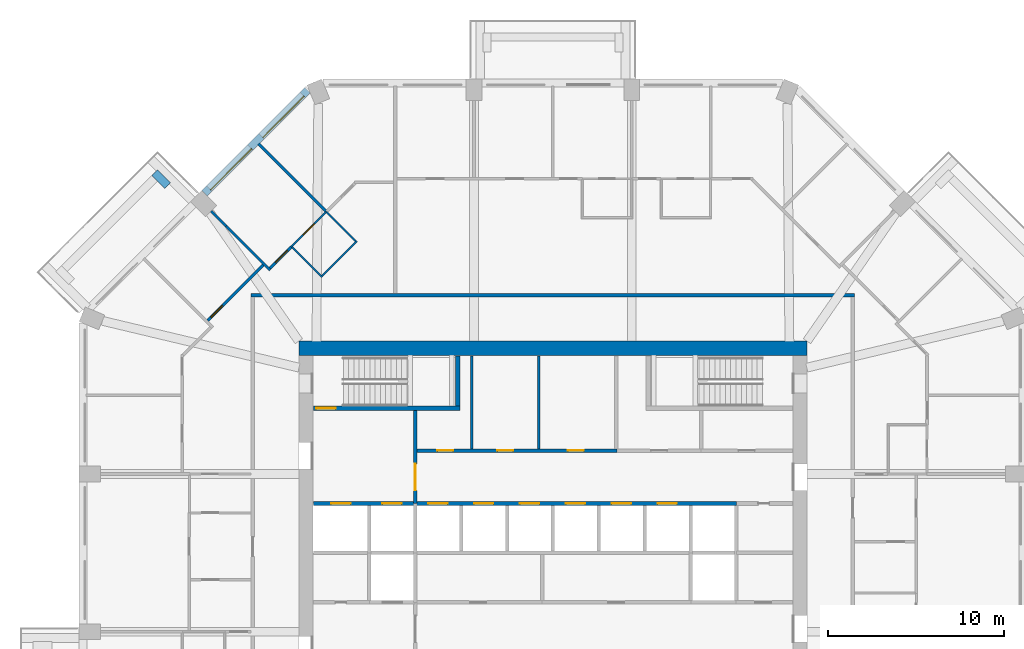
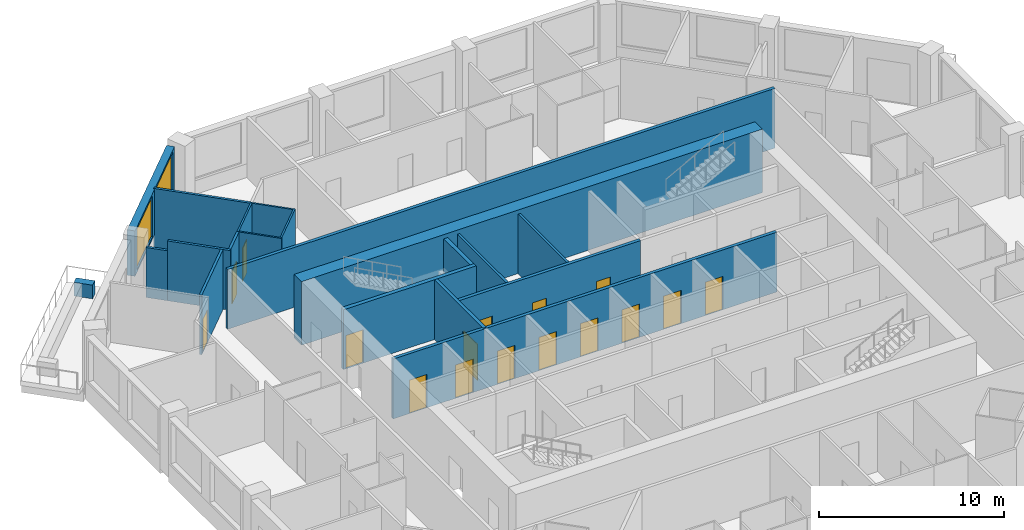
# One storey, part 8 of 12: 20 walls, 16 doors, 2 windows, 18 openings.
"""IFC4 building model written with IfcOpenShell, lengths in metres."""

from ifc_helpers import new_model, si_unit, direction, frame, frame_2d, origin, place, context, subcontext, project, spatial, rectangle, extrude, material, layer, layer_set, type_object, element, fill, save


model = new_model("IFC4")

# Units and contexts
model_context = context("Model", 3, precision=1e-05, world=origin(), true_north=direction((0.0, 1.0)))
body_context = subcontext(model_context, "Body", "Model", "MODEL_VIEW")
ifc_project = project(units=[si_unit("LENGTHUNIT", "METRE"), si_unit("AREAUNIT", "SQUARE_METRE"), si_unit("VOLUMEUNIT", "CUBIC_METRE"), si_unit("PLANEANGLEUNIT", "RADIAN"), si_unit("MASSUNIT", "GRAM", prefix="KILO")], contexts=[model_context])

# Site, building, storey
site_placement = place(None, origin())
site = spatial("IfcSite", under=ifc_project, at=site_placement, CompositionType="ELEMENT")
building_placement = place(site_placement, origin())
building = spatial("IfcBuilding", under=site, at=building_placement, Name="Msitu Wima Residences", CompositionType="ELEMENT")
storey_placement = place(building_placement, frame((0.0, 0.0, 127.5)))
storey = spatial("IfcBuildingStorey", under=building, at=storey_placement, Name="L29", CompositionType="ELEMENT", Elevation=127.5)

# Wall
ifc_material_1 = material(Name="Facing brick")
ifc_layer_1 = layer(ifc_material_1, 0.06494140625, Name="Facing brick")
ifc_material_2 = material(Name="Concrete C40/50", Category="concrete")
ifc_layer_2 = layer(ifc_material_2, 0.156005859375, Name="Concrete C40/50")
ifc_material_3 = material(Name="Waterproofing membrane")
ifc_layer_3 = layer(ifc_material_3, 0.00390625, Name="Waterproofing membrane")
ifc_material_4 = material(Name="Planting soil and planting")
ifc_layer_4 = layer(ifc_material_4, 0.22509765625, Name="Planting soil and planting")
ifc_layer_set_1 = layer_set([ifc_layer_1, ifc_layer_2, ifc_layer_3, ifc_layer_4], Name="Concrete C40/50")
wall_type_1 = type_object("IfcWallType", Name="Balcony planter PLANTER PL450", PredefinedType="USERDEFINED", material=ifc_layer_set_1)
wall_1_placement = place(storey_placement, frame((-21.829833984375, 20.804443359375, 0.0), z_axis=(0.0, 0.0, 1.0), x_axis=(-0.707106781187, 0.707106781187, 0.0)))
element("IfcWall", 1, at=wall_1_placement, inside=storey, type_object=wall_type_1, Name="Balcony planter NW1 L29", ObjectType="PLANTER", PredefinedType="USERDEFINED", context=body_context, shape_type="SweptSolid", body=[
    extrude(rectangle(XDim=1.050048828125, YDim=0.449951171875, at=frame_2d((0.52490234375, 0.0))), origin(), (0.0, 0.0, 1.0), 0.89990234375),
])

# Wall, openings, windows
ifc_material_5 = material(Name="Brick (red buff mix)", Category="masonry")
ifc_layer_5 = layer(ifc_material_5, 0.449951171875)
ifc_layer_set_2 = layer_set([ifc_layer_5], Name="Brick (red buff mix)")
wall_type_2 = type_object("IfcWallType", Name="Brick infill wall BW450", PredefinedType="SOLIDWALL", material=ifc_layer_set_2)
wall_2_placement = place(storey_placement, frame((-13.909423828125, 26.214599609375, 0.89990234375), z_axis=(0.0, 0.0, 1.0), x_axis=(-0.707106781187, -0.707106781187, 0.0)))
wall_2 = element("IfcWall", 2, at=wall_2_placement, inside=storey, type_object=wall_type_2, Name="Brick infill wall L29 NW0", PredefinedType="SOLIDWALL", context=body_context, shape_type="SweptSolid", body=[
    extrude(rectangle(XDim=8.251220703125, YDim=0.449951171875, at=frame_2d((4.12548828125, 0.0))), origin(), (0.0, 0.0, 1.0), 3.0),
])
opening_1_placement = place(wall_2_placement, frame((0.37548828125, 0.0, 0.14990234375)))
opening_1 = element("IfcOpeningElement", 3, at=opening_1_placement, cuts=wall_2, Name="Opening W27-29.014", PredefinedType="OPENING", context=body_context, shape_type="SweptSolid", body=[
    extrude(rectangle(XDim=3.300048828125, YDim=2.699951171875, at=frame_2d((1.64990234375, 1.35009765625))), frame((0.0, 0.23486328125, 0.0), z_axis=(0.0, -1.0, 0.0), x_axis=(1.0, 0.0, 0.0)), (0.0, 0.0, 1.0), 0.469970703125),
])
opening_2_placement = place(wall_2_placement, frame((4.57568359375, 0.0, 0.14990234375)))
opening_2 = element("IfcOpeningElement", 4, at=opening_2_placement, cuts=wall_2, Name="Opening W27-29.015", PredefinedType="OPENING", context=body_context, shape_type="SweptSolid", body=[
    extrude(rectangle(XDim=3.300048828125, YDim=2.699951171875, at=frame_2d((1.64990234375, 1.35009765625))), frame((0.0, 0.23486328125, 0.0), z_axis=(0.0, -1.0, 0.0), x_axis=(1.0, 0.0, 0.0)), (0.0, 0.0, 1.0), 0.469970703125),
])
ifc_material_6 = material(Name="Anodised aluminium, bronze finish, clear low-emissivity double glazing", Category="aluminium")
window_type = type_object("IfcWindowType", Name="Window W3300x2700", PartitioningType="DOUBLE_PANEL_VERTICAL", PredefinedType="WINDOW", material=ifc_material_6)
window_1_placement = place(opening_1_placement, origin())
window_1 = element("IfcWindow", 5, at=window_1_placement, inside=storey, type_object=window_type, Name="Window L29 NW0.1", OverallHeight=2.699951171875, OverallWidth=3.300048828125, PartitioningType="SINGLE_PANEL", PredefinedType="WINDOW", context=body_context, shape_type="SweptSolid", body=[
    extrude(rectangle(XDim=3.300048828125, YDim=2.699951171875, at=frame_2d((1.64990234375, 1.35009765625))), frame((0.0, 0.135009765625, 0.0), z_axis=(0.0, -1.0, 0.0), x_axis=(1.0, 0.0, 0.0)), (0.0, 0.0, 1.0), 0.06005859375),
])
fill(opening_1, window_1)
window_2_placement = place(opening_2_placement, origin())
window_2 = element("IfcWindow", 6, at=window_2_placement, inside=storey, type_object=window_type, Name="Window L29 NW0.2", OverallHeight=2.699951171875, OverallWidth=3.300048828125, PartitioningType="SINGLE_PANEL", PredefinedType="WINDOW", context=body_context, shape_type="SweptSolid", body=[
    extrude(rectangle(XDim=3.300048828125, YDim=2.699951171875, at=frame_2d((1.64990234375, 1.35009765625))), frame((0.0, 0.135009765625, 0.0), z_axis=(0.0, -1.0, 0.0), x_axis=(1.0, 0.0, 0.0)), (0.0, 0.0, 1.0), 0.06005859375),
])
fill(opening_2, window_2)

# Walls
ifc_material_7 = material(Name="Concrete C70/85", Category="concrete")
ifc_layer_6 = layer(ifc_material_7, 0.800048828125)
ifc_layer_set_3 = layer_set([ifc_layer_6], Name="Concrete C70/85")
wall_type_3 = type_object("IfcWallType", Name="Core wall CW800 C70/85", PredefinedType="SHEAR", material=ifc_layer_set_3)
wall_3_placement = place(storey_placement, frame((-14.39990234375, 11.60009765625, 0.0), z_axis=(0.0, 0.0, 1.0), x_axis=(1.0, 0.0, 0.0)))
element("IfcWall", 7, at=wall_3_placement, inside=storey, type_object=wall_type_3, Name="Core wall", PredefinedType="SHEAR", context=body_context, shape_type="SweptSolid", body=[
    extrude(rectangle(XDim=28.7998046875, YDim=0.800048828125, at=frame_2d((14.39990234375, 0.0))), origin(), (0.0, 0.0, 1.0), 4.199951171875),
])
ifc_material_8 = material(Name="Plaster")
ifc_layer_7 = layer(ifc_material_8, 0.011962890625, Name="Plaster")
ifc_material_9 = material(Name="Concrete blockwork", Category="masonry")
ifc_layer_8 = layer(ifc_material_9, 0.176025390625, Name="Concrete blockwork")
ifc_layer_9 = layer(ifc_material_8, 0.011962890625, Name="Plaster")
ifc_layer_set_4 = layer_set([ifc_layer_7, ifc_layer_8, ifc_layer_9], Name="Concrete blockwork")
wall_type_4 = type_object("IfcWallType", Name="Corridor wall FW200", PredefinedType="PARTITIONING", material=ifc_layer_set_4)
wall_4_placement = place(storey_placement, frame((-17.10009765625, 14.60009765625, 0.0), z_axis=(0.0, 0.0, 1.0), x_axis=(1.0, 0.0, 0.0)))
element("IfcWall", 8, at=wall_4_placement, inside=storey, type_object=wall_type_4, Name="Corridor wall", PredefinedType="PARTITIONING", context=body_context, shape_type="SweptSolid", body=[
    extrude(rectangle(XDim=34.2001953125, YDim=0.199951171875, at=frame_2d((17.10009765625, 0.0))), origin(), (0.0, 0.0, 1.0), 3.949951171875),
])

# Wall, opening, door
wall_5_placement = place(storey_placement, frame((-7.800048828125, 2.800048828125, 0.0), z_axis=(0.0, 0.0, 1.0), x_axis=(0.0, 1.0, 0.0)))
wall_5 = element("IfcWall", 9, at=wall_5_placement, inside=storey, type_object=wall_type_4, Name="Corridor wall", PredefinedType="PARTITIONING", context=body_context, shape_type="SweptSolid", body=[
    extrude(rectangle(XDim=5.27490234375, YDim=0.199951171875, at=frame_2d((2.637451171875, 0.0))), origin(), (0.0, 0.0, 1.0), 3.949951171875),
])
opening_3_placement = place(wall_5_placement, frame((0.75, 0.0, 0.0)))
opening_3 = element("IfcOpeningElement", 10, at=opening_3_placement, cuts=wall_5, Name="Opening D27-29.013", PredefinedType="OPENING", context=body_context, shape_type="SweptSolid", body=[
    extrude(rectangle(XDim=1.5, YDim=2.39990234375, at=frame_2d((0.75, 1.199951171875))), frame((0.0, 0.10986328125, 0.0), z_axis=(0.0, -1.0, 0.0), x_axis=(1.0, 0.0, 0.0)), (0.0, 0.0, 1.0), 0.219970703125),
])
ifc_material_10 = material(Name="Steel framed glazed door, fire resisting", Category="steel")
door_type_1 = type_object("IfcDoorType", Name="Lobby door D07 1500x2400", OperationType="DOUBLE_DOOR_SINGLE_SWING", PredefinedType="DOOR", material=ifc_material_10)
door_1_placement = place(opening_3_placement, origin())
door_1 = element("IfcDoor", 11, at=door_1_placement, inside=storey, type_object=door_type_1, Name="Lobby door", OperationType="DOUBLE_DOOR_SINGLE_SWING", OverallHeight=2.39990234375, OverallWidth=1.5, PredefinedType="DOOR", context=body_context, shape_type="SweptSolid", body=[
    extrude(rectangle(XDim=1.5, YDim=2.39990234375, at=frame_2d((0.75, 1.199951171875))), frame((0.0, 0.02490234375, 0.0), z_axis=(0.0, -1.0, 0.0), x_axis=(1.0, 0.0, 0.0)), (0.0, 0.0, 1.0), 0.050048828125),
])
fill(opening_3, door_1)

# Wall, openings, doors
wall_6_placement = place(storey_placement, frame((-7.699951171875, 5.800048828125, 0.0), z_axis=(0.0, 0.0, 1.0), x_axis=(1.0, 0.0, 0.0)))
wall_6 = element("IfcWall", 12, at=wall_6_placement, inside=storey, type_object=wall_type_4, Name="Corridor wall", PredefinedType="PARTITIONING", context=body_context, shape_type="SweptSolid", body=[
    extrude(rectangle(XDim=11.320068359375, YDim=0.199951171875, at=frame_2d((5.66015625, 0.0))), origin(), (0.0, 0.0, 1.0), 3.949951171875),
])
opening_4_placement = place(wall_6_placement, frame((1.14990234375, 0.0, 0.0)))
opening_4 = element("IfcOpeningElement", 13, at=opening_4_placement, cuts=wall_6, Name="Opening D27-29.016", PredefinedType="OPENING", context=body_context, shape_type="SweptSolid", body=[
    extrude(rectangle(XDim=0.89990234375, YDim=2.199951171875, at=frame_2d((0.449951171875, 1.10009765625))), frame((0.0, 0.10986328125, 0.0), z_axis=(0.0, -1.0, 0.0), x_axis=(1.0, 0.0, 0.0)), (0.0, 0.0, 1.0), 0.219970703125),
])
opening_5_placement = place(wall_6_placement, frame((4.550048828125, 0.0, 0.0)))
opening_5 = element("IfcOpeningElement", 14, at=opening_5_placement, cuts=wall_6, Name="Opening D27-29.017", PredefinedType="OPENING", context=body_context, shape_type="SweptSolid", body=[
    extrude(rectangle(XDim=0.89990234375, YDim=2.199951171875, at=frame_2d((0.449951171875, 1.10009765625))), frame((0.0, 0.10986328125, 0.0), z_axis=(0.0, -1.0, 0.0), x_axis=(1.0, 0.0, 0.0)), (0.0, 0.0, 1.0), 0.219970703125),
])
opening_6_placement = place(wall_6_placement, frame((8.550048828125, 0.0, 0.0)))
opening_6 = element("IfcOpeningElement", 15, at=opening_6_placement, cuts=wall_6, Name="Opening D27-29.018", PredefinedType="OPENING", context=body_context, shape_type="SweptSolid", body=[
    extrude(rectangle(XDim=0.89990234375, YDim=2.199951171875, at=frame_2d((0.449951171875, 1.10009765625))), frame((0.0, 0.10986328125, 0.0), z_axis=(0.0, -1.0, 0.0), x_axis=(1.0, 0.0, 0.0)), (0.0, 0.0, 1.0), 0.219970703125),
])
ifc_material_11 = material(Name="Timber flush door", Category="wood")
door_type_2 = type_object("IfcDoorType", Name="Service door D05 900x2200", OperationType="SINGLE_SWING_LEFT", PredefinedType="DOOR", material=ifc_material_11)
door_2_placement = place(opening_4_placement, origin())
door_2 = element("IfcDoor", 16, at=door_2_placement, inside=storey, type_object=door_type_2, Name="Service door", OperationType="SINGLE_SWING_RIGHT", OverallHeight=2.199951171875, OverallWidth=0.89990234375, PredefinedType="DOOR", context=body_context, shape_type="SweptSolid", body=[
    extrude(rectangle(XDim=0.89990234375, YDim=2.199951171875, at=frame_2d((0.449951171875, 1.10009765625))), frame((0.0, 0.02490234375, 0.0), z_axis=(0.0, -1.0, 0.0), x_axis=(1.0, 0.0, 0.0)), (0.0, 0.0, 1.0), 0.050048828125),
])
fill(opening_4, door_2)
door_3_placement = place(opening_5_placement, origin())
door_3 = element("IfcDoor", 17, at=door_3_placement, inside=storey, type_object=door_type_2, Name="Service door", OperationType="SINGLE_SWING_LEFT", OverallHeight=2.199951171875, OverallWidth=0.89990234375, PredefinedType="DOOR", context=body_context, shape_type="SweptSolid", body=[
    extrude(rectangle(XDim=0.89990234375, YDim=2.199951171875, at=frame_2d((0.449951171875, 1.10009765625))), frame((0.0, 0.02490234375, 0.0), z_axis=(0.0, -1.0, 0.0), x_axis=(1.0, 0.0, 0.0)), (0.0, 0.0, 1.0), 0.050048828125),
])
fill(opening_5, door_3)
door_4_placement = place(opening_6_placement, origin())
door_4 = element("IfcDoor", 18, at=door_4_placement, inside=storey, type_object=door_type_2, Name="Service door", OperationType="SINGLE_SWING_LEFT", OverallHeight=2.199951171875, OverallWidth=0.89990234375, PredefinedType="DOOR", context=body_context, shape_type="SweptSolid", body=[
    extrude(rectangle(XDim=0.89990234375, YDim=2.199951171875, at=frame_2d((0.449951171875, 1.10009765625))), frame((0.0, 0.02490234375, 0.0), z_axis=(0.0, -1.0, 0.0), x_axis=(1.0, 0.0, 0.0)), (0.0, 0.0, 1.0), 0.050048828125),
])
fill(opening_6, door_4)

# Walls
ifc_layer_10 = layer(ifc_material_8, 0.011962890625, Name="Plaster")
ifc_layer_11 = layer(ifc_material_9, 0.1259765625, Name="Concrete blockwork")
ifc_layer_12 = layer(ifc_material_8, 0.011962890625, Name="Plaster")
ifc_layer_set_5 = layer_set([ifc_layer_10, ifc_layer_11, ifc_layer_12], Name="Concrete blockwork")
wall_type_5 = type_object("IfcWallType", Name="Partition PW150", PredefinedType="PARTITIONING", material=ifc_layer_set_5)
wall_7_placement = place(storey_placement, frame((-19.37255859375, 19.37255859375, 0.0), z_axis=(0.0, 0.0, 1.0), x_axis=(0.707106781187, -0.707106781187, 0.0)))
element("IfcWall", 19, at=wall_7_placement, inside=storey, type_object=wall_type_5, Name="Partition", PredefinedType="PARTITIONING", context=body_context, shape_type="SweptSolid", body=[
    extrude(rectangle(XDim=1.209228515625, YDim=0.14990234375, at=frame_2d((0.6044921875, 0.0))), origin(), (0.0, 0.0, 1.0), 3.300048828125),
])
wall_8_placement = place(storey_placement, frame((-18.517578125, 18.517578125, 0.0), z_axis=(0.0, 0.0, 1.0), x_axis=(0.707106781187, -0.707106781187, 0.0)))
element("IfcWall", 20, at=wall_8_placement, inside=storey, type_object=wall_type_5, Name="Partition", PredefinedType="PARTITIONING", context=body_context, shape_type="SweptSolid", body=[
    extrude(rectangle(XDim=3.515869140625, YDim=0.14990234375, at=frame_2d((1.7578125, 0.0))), origin(), (0.0, 0.0, 1.0), 3.949951171875),
])

# Wall, opening, door
wall_9_placement = place(storey_placement, frame((-19.56298828125, 13.171875, 0.0), z_axis=(0.0, 0.0, 1.0), x_axis=(0.707106781187, 0.707106781187, 0.0)))
wall_9 = element("IfcWall", 21, at=wall_9_placement, inside=storey, type_object=wall_type_5, Name="Partition", PredefinedType="PARTITIONING", context=body_context, shape_type="SweptSolid", body=[
    extrude(rectangle(XDim=4.4443359375, YDim=0.14990234375, at=frame_2d((2.22216796875, 0.0))), origin(), (0.0, 0.0, 1.0), 3.949951171875),
])
opening_7_placement = place(wall_9_placement, frame((0.25, 0.0, 0.0)))
opening_7 = element("IfcOpeningElement", 22, at=opening_7_placement, cuts=wall_9, Name="Opening D27-29.053", PredefinedType="OPENING", context=body_context, shape_type="SweptSolid", body=[
    extrude(rectangle(XDim=0.949951171875, YDim=2.199951171875, at=frame_2d((0.47509765625, 1.10009765625))), frame((0.0, 0.0849609375, 0.0), z_axis=(0.0, -1.0, 0.0), x_axis=(1.0, 0.0, 0.0)), (0.0, 0.0, 1.0), 0.169921875),
])
door_type_3 = type_object("IfcDoorType", Name="Room door D12 950x2200", OperationType="SINGLE_SWING_LEFT", PredefinedType="DOOR", material=ifc_material_11)
door_5_placement = place(opening_7_placement, origin())
door_5 = element("IfcDoor", 23, at=door_5_placement, inside=storey, type_object=door_type_3, Name="Room door", OperationType="SINGLE_SWING_LEFT", OverallHeight=2.199951171875, OverallWidth=0.949951171875, PredefinedType="DOOR", context=body_context, shape_type="SweptSolid", body=[
    extrude(rectangle(XDim=0.949951171875, YDim=2.199951171875, at=frame_2d((0.47509765625, 1.10009765625))), frame((0.0, 0.02490234375, 0.0), z_axis=(0.0, -1.0, 0.0), x_axis=(1.0, 0.0, 0.0)), (0.0, 0.0, 1.0), 0.050048828125),
])
fill(opening_7, door_5)

# Wall
wall_10_placement = place(storey_placement, frame((-16.693359375, 23.1904296875, 0.0), z_axis=(0.0, 0.0, 1.0), x_axis=(0.707106781187, -0.707106781187, 0.0)))
element("IfcWall", 24, at=wall_10_placement, inside=storey, type_object=wall_type_5, Name="Partition", PredefinedType="PARTITIONING", context=body_context, shape_type="SweptSolid", body=[
    extrude(rectangle(XDim=5.475341796875, YDim=0.14990234375, at=frame_2d((2.73779296875, 0.0))), origin(), (0.0, 0.0, 1.0), 3.949951171875),
])

# Wall, opening, door
wall_11_placement = place(storey_placement, frame((-16.031494140625, 16.1376953125, 0.0), z_axis=(0.0, 0.0, 1.0), x_axis=(0.707106781187, 0.707106781187, 0.0)))
wall_11 = element("IfcWall", 25, at=wall_11_placement, inside=storey, type_object=wall_type_5, Name="Partition", PredefinedType="PARTITIONING", context=body_context, shape_type="SweptSolid", body=[
    extrude(rectangle(XDim=1.698974609375, YDim=0.14990234375, at=frame_2d((0.849609375, 0.0))), origin(), (0.0, 0.0, 1.0), 3.949951171875),
])
opening_8_placement = place(wall_11_placement, frame((0.449951171875, 0.0, 0.0)))
opening_8 = element("IfcOpeningElement", 26, at=opening_8_placement, cuts=wall_11, Name="Opening D27-29.055", PredefinedType="OPENING", context=body_context, shape_type="SweptSolid", body=[
    extrude(rectangle(XDim=0.949951171875, YDim=2.199951171875, at=frame_2d((0.47509765625, 1.10009765625))), frame((0.0, 0.0849609375, 0.0), z_axis=(0.0, -1.0, 0.0), x_axis=(1.0, 0.0, 0.0)), (0.0, 0.0, 1.0), 0.169921875),
])
door_6_placement = place(opening_8_placement, origin())
door_6 = element("IfcDoor", 27, at=door_6_placement, inside=storey, type_object=door_type_3, Name="Room door", OperationType="SINGLE_SWING_LEFT", OverallHeight=2.199951171875, OverallWidth=0.949951171875, PredefinedType="DOOR", context=body_context, shape_type="SweptSolid", body=[
    extrude(rectangle(XDim=0.949951171875, YDim=2.199951171875, at=frame_2d((0.47509765625, 1.10009765625))), frame((0.0, 0.02490234375, 0.0), z_axis=(0.0, -1.0, 0.0), x_axis=(1.0, 0.0, 0.0)), (0.0, 0.0, 1.0), 0.050048828125),
])
fill(opening_8, door_6)

# Walls
for number, where, z_axis, x_axis, name in (
    (28, (-4.60009765625, 5.89990234375, 0.0), (0.0, 0.0, 1.0), (0.0, 1.0, 0.0), "Partition"),
    (29, (-0.800048828125, 5.89990234375, 0.0), (0.0, 0.0, 1.0), (0.0, 1.0, 0.0), "Partition"),
):
    element("IfcWall", number, at=place(storey_placement, frame(where, z_axis=z_axis, x_axis=x_axis)), inside=storey, type_object=wall_type_5, Name=name, PredefinedType="PARTITIONING", context=body_context, shape_type="SweptSolid", body=[
        extrude(rectangle(XDim=5.27001953125, YDim=0.14990234375, at=frame_2d((2.635009765625, 0.0))), origin(), (0.0, 0.0, 1.0), 3.949951171875),
    ])

# Wall, openings, doors
ifc_material_12 = material(Name="Fire-rated board")
ifc_layer_13 = layer(ifc_material_12, 0.02490234375, Name="Fire-rated board")
ifc_material_13 = material(Name="Light-gauge stud framing with mineral wool")
ifc_layer_14 = layer(ifc_material_13, 0.14990234375, Name="Light-gauge stud framing with mineral wool")
ifc_layer_15 = layer(ifc_material_12, 0.02490234375, Name="Fire-rated board")
ifc_layer_set_6 = layer_set([ifc_layer_13, ifc_layer_14, ifc_layer_15], Name="Light-gauge stud framing with mineral wool")
wall_type_6 = type_object("IfcWallType", Name="Shaft wall SH200", PredefinedType="PARTITIONING", material=ifc_layer_set_6)
wall_12_placement = place(storey_placement, frame((-13.570068359375, 2.800048828125, 0.0), z_axis=(0.0, 0.0, 1.0), x_axis=(1.0, 0.0, 0.0)))
wall_12 = element("IfcWall", 30, at=wall_12_placement, inside=storey, type_object=wall_type_6, Name="Shaft wall", PredefinedType="PARTITIONING", context=body_context, shape_type="SweptSolid", body=[
    extrude(rectangle(XDim=23.969970703125, YDim=0.199951171875, at=frame_2d((11.98486328125, 0.0))), origin(), (0.0, 0.0, 1.0), 3.949951171875),
])
opening_9_placement = place(wall_12_placement, frame((1.0, 0.0, 0.0)))
opening_9 = element("IfcOpeningElement", 31, at=opening_9_placement, cuts=wall_12, Name="Opening LD", PredefinedType="OPENING", context=body_context, shape_type="SweptSolid", body=[
    extrude(rectangle(XDim=1.10009765625, YDim=2.199951171875, at=frame_2d((0.550048828125, 1.10009765625))), frame((0.0, 0.10986328125, 0.0), z_axis=(0.0, -1.0, 0.0), x_axis=(1.0, 0.0, 0.0)), (0.0, 0.0, 1.0), 0.219970703125),
])
opening_10_placement = place(wall_12_placement, frame((3.89990234375, 0.0, 0.0)))
opening_10 = element("IfcOpeningElement", 32, at=opening_10_placement, cuts=wall_12, Name="Opening LD", PredefinedType="OPENING", context=body_context, shape_type="SweptSolid", body=[
    extrude(rectangle(XDim=1.10009765625, YDim=2.199951171875, at=frame_2d((0.550048828125, 1.10009765625))), frame((0.0, 0.10986328125, 0.0), z_axis=(0.0, -1.0, 0.0), x_axis=(1.0, 0.0, 0.0)), (0.0, 0.0, 1.0), 0.219970703125),
])
opening_11_placement = place(wall_12_placement, frame((6.5, 0.0, 0.0)))
opening_11 = element("IfcOpeningElement", 33, at=opening_11_placement, cuts=wall_12, Name="Opening LD", PredefinedType="OPENING", context=body_context, shape_type="SweptSolid", body=[
    extrude(rectangle(XDim=1.10009765625, YDim=2.199951171875, at=frame_2d((0.550048828125, 1.10009765625))), frame((0.0, 0.10986328125, 0.0), z_axis=(0.0, -1.0, 0.0), x_axis=(1.0, 0.0, 0.0)), (0.0, 0.0, 1.0), 0.219970703125),
])
opening_12_placement = place(wall_12_placement, frame((9.10009765625, 0.0, 0.0)))
opening_12 = element("IfcOpeningElement", 34, at=opening_12_placement, cuts=wall_12, Name="Opening LD", PredefinedType="OPENING", context=body_context, shape_type="SweptSolid", body=[
    extrude(rectangle(XDim=1.10009765625, YDim=2.199951171875, at=frame_2d((0.550048828125, 1.10009765625))), frame((0.0, 0.10986328125, 0.0), z_axis=(0.0, -1.0, 0.0), x_axis=(1.0, 0.0, 0.0)), (0.0, 0.0, 1.0), 0.219970703125),
])
opening_13_placement = place(wall_12_placement, frame((11.699951171875, 0.0, 0.0)))
opening_13 = element("IfcOpeningElement", 35, at=opening_13_placement, cuts=wall_12, Name="Opening LD", PredefinedType="OPENING", context=body_context, shape_type="SweptSolid", body=[
    extrude(rectangle(XDim=1.10009765625, YDim=2.199951171875, at=frame_2d((0.550048828125, 1.10009765625))), frame((0.0, 0.10986328125, 0.0), z_axis=(0.0, -1.0, 0.0), x_axis=(1.0, 0.0, 0.0)), (0.0, 0.0, 1.0), 0.219970703125),
])
opening_14_placement = place(wall_12_placement, frame((14.300048828125, 0.0, 0.0)))
opening_14 = element("IfcOpeningElement", 36, at=opening_14_placement, cuts=wall_12, Name="Opening LD", PredefinedType="OPENING", context=body_context, shape_type="SweptSolid", body=[
    extrude(rectangle(XDim=1.10009765625, YDim=2.199951171875, at=frame_2d((0.550048828125, 1.10009765625))), frame((0.0, 0.10986328125, 0.0), z_axis=(0.0, -1.0, 0.0), x_axis=(1.0, 0.0, 0.0)), (0.0, 0.0, 1.0), 0.219970703125),
])
opening_15_placement = place(wall_12_placement, frame((16.89990234375, 0.0, 0.0)))
opening_15 = element("IfcOpeningElement", 37, at=opening_15_placement, cuts=wall_12, Name="Opening LD", PredefinedType="OPENING", context=body_context, shape_type="SweptSolid", body=[
    extrude(rectangle(XDim=1.10009765625, YDim=2.199951171875, at=frame_2d((0.550048828125, 1.10009765625))), frame((0.0, 0.10986328125, 0.0), z_axis=(0.0, -1.0, 0.0), x_axis=(1.0, 0.0, 0.0)), (0.0, 0.0, 1.0), 0.219970703125),
])
opening_16_placement = place(wall_12_placement, frame((19.5, 0.0, 0.0)))
opening_16 = element("IfcOpeningElement", 38, at=opening_16_placement, cuts=wall_12, Name="Opening LD", PredefinedType="OPENING", context=body_context, shape_type="SweptSolid", body=[
    extrude(rectangle(XDim=1.10009765625, YDim=2.199951171875, at=frame_2d((0.550048828125, 1.10009765625))), frame((0.0, 0.10986328125, 0.0), z_axis=(0.0, -1.0, 0.0), x_axis=(1.0, 0.0, 0.0)), (0.0, 0.0, 1.0), 0.219970703125),
])
ifc_material_14 = material(Name="Stainless steel centre-opening landing door, rated", Category="steel")
door_type_4 = type_object("IfcDoorType", Name="Lift landing door LD 1100x2200", OperationType="DOUBLE_DOOR_SLIDING", PredefinedType="DOOR", material=ifc_material_14)
door_7_placement = place(opening_9_placement, origin())
door_7 = element("IfcDoor", 39, at=door_7_placement, inside=storey, type_object=door_type_4, Name="Lift landing door LD1", OperationType="DOUBLE_DOOR_SLIDING", OverallHeight=2.199951171875, OverallWidth=1.10009765625, PredefinedType="DOOR", context=body_context, shape_type="SweptSolid", body=[
    extrude(rectangle(XDim=1.10009765625, YDim=2.199951171875, at=frame_2d((0.550048828125, 1.10009765625))), frame((0.0, 0.02490234375, 0.0), z_axis=(0.0, -1.0, 0.0), x_axis=(1.0, 0.0, 0.0)), (0.0, 0.0, 1.0), 0.050048828125),
])
fill(opening_9, door_7)
door_8_placement = place(opening_10_placement, origin())
door_8 = element("IfcDoor", 40, at=door_8_placement, inside=storey, type_object=door_type_4, Name="Lift landing door LD2", OperationType="DOUBLE_DOOR_SLIDING", OverallHeight=2.199951171875, OverallWidth=1.10009765625, PredefinedType="DOOR", context=body_context, shape_type="SweptSolid", body=[
    extrude(rectangle(XDim=1.10009765625, YDim=2.199951171875, at=frame_2d((0.550048828125, 1.10009765625))), frame((0.0, 0.02490234375, 0.0), z_axis=(0.0, -1.0, 0.0), x_axis=(1.0, 0.0, 0.0)), (0.0, 0.0, 1.0), 0.050048828125),
])
fill(opening_10, door_8)
door_9_placement = place(opening_11_placement, origin())
door_9 = element("IfcDoor", 41, at=door_9_placement, inside=storey, type_object=door_type_4, Name="Lift landing door LD4", OperationType="DOUBLE_DOOR_SLIDING", OverallHeight=2.199951171875, OverallWidth=1.10009765625, PredefinedType="DOOR", context=body_context, shape_type="SweptSolid", body=[
    extrude(rectangle(XDim=1.10009765625, YDim=2.199951171875, at=frame_2d((0.550048828125, 1.10009765625))), frame((0.0, 0.02490234375, 0.0), z_axis=(0.0, -1.0, 0.0), x_axis=(1.0, 0.0, 0.0)), (0.0, 0.0, 1.0), 0.050048828125),
])
fill(opening_11, door_9)
door_10_placement = place(opening_12_placement, origin())
door_10 = element("IfcDoor", 42, at=door_10_placement, inside=storey, type_object=door_type_4, Name="Lift landing door LD6", OperationType="DOUBLE_DOOR_SLIDING", OverallHeight=2.199951171875, OverallWidth=1.10009765625, PredefinedType="DOOR", context=body_context, shape_type="SweptSolid", body=[
    extrude(rectangle(XDim=1.10009765625, YDim=2.199951171875, at=frame_2d((0.550048828125, 1.10009765625))), frame((0.0, 0.02490234375, 0.0), z_axis=(0.0, -1.0, 0.0), x_axis=(1.0, 0.0, 0.0)), (0.0, 0.0, 1.0), 0.050048828125),
])
fill(opening_12, door_10)
door_11_placement = place(opening_13_placement, origin())
door_11 = element("IfcDoor", 43, at=door_11_placement, inside=storey, type_object=door_type_4, Name="Lift landing door LD8", OperationType="DOUBLE_DOOR_SLIDING", OverallHeight=2.199951171875, OverallWidth=1.10009765625, PredefinedType="DOOR", context=body_context, shape_type="SweptSolid", body=[
    extrude(rectangle(XDim=1.10009765625, YDim=2.199951171875, at=frame_2d((0.550048828125, 1.10009765625))), frame((0.0, 0.02490234375, 0.0), z_axis=(0.0, -1.0, 0.0), x_axis=(1.0, 0.0, 0.0)), (0.0, 0.0, 1.0), 0.050048828125),
])
fill(opening_13, door_11)
door_12_placement = place(opening_14_placement, origin())
door_12 = element("IfcDoor", 44, at=door_12_placement, inside=storey, type_object=door_type_4, Name="Lift landing door LD10", OperationType="DOUBLE_DOOR_SLIDING", OverallHeight=2.199951171875, OverallWidth=1.10009765625, PredefinedType="DOOR", context=body_context, shape_type="SweptSolid", body=[
    extrude(rectangle(XDim=1.10009765625, YDim=2.199951171875, at=frame_2d((0.550048828125, 1.10009765625))), frame((0.0, 0.02490234375, 0.0), z_axis=(0.0, -1.0, 0.0), x_axis=(1.0, 0.0, 0.0)), (0.0, 0.0, 1.0), 0.050048828125),
])
fill(opening_14, door_12)
door_13_placement = place(opening_15_placement, origin())
door_13 = element("IfcDoor", 45, at=door_13_placement, inside=storey, type_object=door_type_4, Name="Lift landing door LD12", OperationType="DOUBLE_DOOR_SLIDING", OverallHeight=2.199951171875, OverallWidth=1.10009765625, PredefinedType="DOOR", context=body_context, shape_type="SweptSolid", body=[
    extrude(rectangle(XDim=1.10009765625, YDim=2.199951171875, at=frame_2d((0.550048828125, 1.10009765625))), frame((0.0, 0.02490234375, 0.0), z_axis=(0.0, -1.0, 0.0), x_axis=(1.0, 0.0, 0.0)), (0.0, 0.0, 1.0), 0.050048828125),
])
fill(opening_15, door_13)
door_14_placement = place(opening_16_placement, origin())
door_14 = element("IfcDoor", 46, at=door_14_placement, inside=storey, type_object=door_type_4, Name="Lift landing door LD14", OperationType="DOUBLE_DOOR_SLIDING", OverallHeight=2.199951171875, OverallWidth=1.10009765625, PredefinedType="DOOR", context=body_context, shape_type="SweptSolid", body=[
    extrude(rectangle(XDim=1.10009765625, YDim=2.199951171875, at=frame_2d((0.550048828125, 1.10009765625))), frame((0.0, 0.02490234375, 0.0), z_axis=(0.0, -1.0, 0.0), x_axis=(1.0, 0.0, 0.0)), (0.0, 0.0, 1.0), 0.050048828125),
])
fill(opening_16, door_14)

# Wall, opening, door
ifc_material_15 = material(Name="Concrete C50/60", Category="concrete")
ifc_layer_16 = layer(ifc_material_15, 0.25)
ifc_layer_set_7 = layer_set([ifc_layer_16], Name="Concrete C50/60")
wall_type_7 = type_object("IfcWallType", Name="Stair enclosure wall SW250", PredefinedType="SHEAR", material=ifc_layer_set_7)
wall_13_placement = place(storey_placement, frame((-13.570068359375, 8.199951171875, 0.0), z_axis=(0.0, 0.0, 1.0), x_axis=(1.0, 0.0, 0.0)))
wall_13 = element("IfcWall", 47, at=wall_13_placement, inside=storey, type_object=wall_type_7, Name="Stair enclosure wall", PredefinedType="SHEAR", context=body_context, shape_type="SweptSolid", body=[
    extrude(rectangle(XDim=8.295166015625, YDim=0.25, at=frame_2d((4.1474609375, 0.0))), origin(), (0.0, 0.0, 1.0), 3.949951171875),
])
opening_17_placement = place(wall_13_placement, frame((0.14990234375, 0.0, 0.0)))
opening_17 = element("IfcOpeningElement", 48, at=opening_17_placement, cuts=wall_13, Name="Opening D27-29.032", PredefinedType="OPENING", context=body_context, shape_type="SweptSolid", body=[
    extrude(rectangle(XDim=1.10009765625, YDim=2.199951171875, at=frame_2d((0.550048828125, 1.10009765625))), frame((0.0, 0.135009765625, 0.0), z_axis=(0.0, -1.0, 0.0), x_axis=(1.0, 0.0, 0.0)), (0.0, 0.0, 1.0), 0.27001953125),
])
ifc_material_16 = material(Name="Steel door, fire resisting, panic bar", Category="steel")
door_type_5 = type_object("IfcDoorType", Name="Stair door D06 1100x2200", OperationType="SINGLE_SWING_LEFT", PredefinedType="DOOR", material=ifc_material_16)
door_15_placement = place(opening_17_placement, origin())
door_15 = element("IfcDoor", 49, at=door_15_placement, inside=storey, type_object=door_type_5, Name="Stair door", OperationType="SINGLE_SWING_LEFT", OverallHeight=2.199951171875, OverallWidth=1.10009765625, PredefinedType="DOOR", context=body_context, shape_type="SweptSolid", body=[
    extrude(rectangle(XDim=1.10009765625, YDim=2.199951171875, at=frame_2d((0.550048828125, 1.10009765625))), frame((0.0, 0.02490234375, 0.0), z_axis=(0.0, -1.0, 0.0), x_axis=(1.0, 0.0, 0.0)), (0.0, 0.0, 1.0), 0.050048828125),
])
fill(opening_17, door_15)

# Wall
wall_14_placement = place(storey_placement, frame((-5.39990234375, 8.324951171875, 0.0), z_axis=(0.0, 0.0, 1.0), x_axis=(0.0, 1.0, 0.0)))
element("IfcWall", 50, at=wall_14_placement, inside=storey, type_object=wall_type_7, Name="Stair enclosure wall", PredefinedType="SHEAR", context=body_context, shape_type="SweptSolid", body=[
    extrude(rectangle(XDim=2.844970703125, YDim=0.25, at=frame_2d((1.42236328125, 0.0))), origin(), (0.0, 0.0, 1.0), 3.949951171875),
])

# Wall, opening, door
ifc_material_17 = material(Name="Ceramic tiles")
ifc_layer_17 = layer(ifc_material_17, 0.008056640625, Name="Ceramic tiles")
ifc_material_18 = material(Name="Moisture-resistant board")
ifc_layer_18 = layer(ifc_material_18, 0.012451171875, Name="Moisture-resistant board")
ifc_layer_19 = layer(ifc_material_13, 0.06689453125, Name="Light-gauge stud framing with mineral wool")
ifc_layer_20 = layer(ifc_material_18, 0.012451171875, Name="Moisture-resistant board")
ifc_layer_set_8 = layer_set([ifc_layer_17, ifc_layer_18, ifc_layer_19, ifc_layer_20], Name="Light-gauge stud framing with mineral wool")
wall_type_8 = type_object("IfcWallType", Name="Wet wall PW100", PredefinedType="PARTITIONING", material=ifc_layer_set_8)
wall_15_placement = place(storey_placement, frame((-14.830078125, 17.339111328125, 0.0), z_axis=(0.0, 0.0, 1.0), x_axis=(0.707149762482, 0.707063797279, 0.0)))
wall_15 = element("IfcWall", 51, at=wall_15_placement, inside=storey, type_object=wall_type_8, Name="Wet wall", PredefinedType="PARTITIONING", context=body_context, shape_type="SweptSolid", body=[
    extrude(rectangle(XDim=2.840087890625, YDim=0.10009765625, at=frame_2d((1.419921875, 0.0))), origin(), (0.0, 0.0, 1.0), 3.949951171875),
])
opening_18_placement = place(wall_15_placement, frame((0.949951171875, 0.0, 0.0)))
opening_18 = element("IfcOpeningElement", 52, at=opening_18_placement, cuts=wall_15, Name="Opening D27-29.056", PredefinedType="OPENING", context=body_context, shape_type="SweptSolid", body=[
    extrude(rectangle(XDim=0.89990234375, YDim=2.199951171875, at=frame_2d((0.449951171875, 1.10009765625))), frame((0.0, 0.06005859375, 0.0), z_axis=(0.0, -1.0, 0.0), x_axis=(1.0, 0.0, 0.0)), (0.0, 0.0, 1.0), 0.1201171875),
])
ifc_material_19 = material(Name="Timber flush door, moisture resistant", Category="wood")
door_type_6 = type_object("IfcDoorType", Name="Bathroom door D03 900x2200", OperationType="SINGLE_SWING_LEFT", PredefinedType="DOOR", material=ifc_material_19)
door_16_placement = place(opening_18_placement, origin())
door_16 = element("IfcDoor", 53, at=door_16_placement, inside=storey, type_object=door_type_6, Name="Bathroom door", OperationType="SINGLE_SWING_RIGHT", OverallHeight=2.199951171875, OverallWidth=0.89990234375, PredefinedType="DOOR", context=body_context, shape_type="SweptSolid", body=[
    extrude(rectangle(XDim=0.89990234375, YDim=2.199951171875, at=frame_2d((0.449951171875, 1.10009765625))), frame((0.0, 0.02490234375, 0.0), z_axis=(0.0, -1.0, 0.0), x_axis=(1.0, 0.0, 0.0)), (0.0, 0.0, 1.0), 0.050048828125),
])
fill(opening_18, door_16)

# Walls
wall_16_placement = place(storey_placement, frame((-14.780517578125, 17.31787109375, 0.0), z_axis=(0.0, 0.0, 1.0), x_axis=(0.707106781187, -0.707106781187, 0.0)))
element("IfcWall", 54, at=wall_16_placement, inside=storey, type_object=wall_type_8, Name="Wet wall", PredefinedType="PARTITIONING", context=body_context, shape_type="SweptSolid", body=[
    extrude(rectangle(XDim=2.39990234375, YDim=0.10009765625, at=frame_2d((1.199951171875, 0.0))), origin(), (0.0, 0.0, 1.0), 3.949951171875),
])
wall_17_placement = place(storey_placement, frame((-13.08349609375, 15.69140625, 0.0), z_axis=(0.0, 0.0, 1.0), x_axis=(0.707106781187, 0.707106781187, 0.0)))
element("IfcWall", 55, at=wall_17_placement, inside=storey, type_object=wall_type_8, Name="Wet wall", PredefinedType="PARTITIONING", context=body_context, shape_type="SweptSolid", body=[
    extrude(rectangle(XDim=2.800048828125, YDim=0.10009765625, at=frame_2d((1.39990234375, 0.0))), origin(), (0.0, 0.0, 1.0), 3.949951171875),
])
wall_18_placement = place(storey_placement, frame((-12.82177734375, 19.31884765625, 0.0), z_axis=(0.0, 0.0, 1.0), x_axis=(0.707106781187, -0.707106781187, 0.0)))
element("IfcWall", 56, at=wall_18_placement, inside=storey, type_object=wall_type_8, Name="Wet wall", PredefinedType="PARTITIONING", context=body_context, shape_type="SweptSolid", body=[
    extrude(rectangle(XDim=2.329833984375, YDim=0.10009765625, at=frame_2d((1.1650390625, 0.0))), origin(), (0.0, 0.0, 1.0), 3.949951171875),
])

save(model, "model.ifc")
